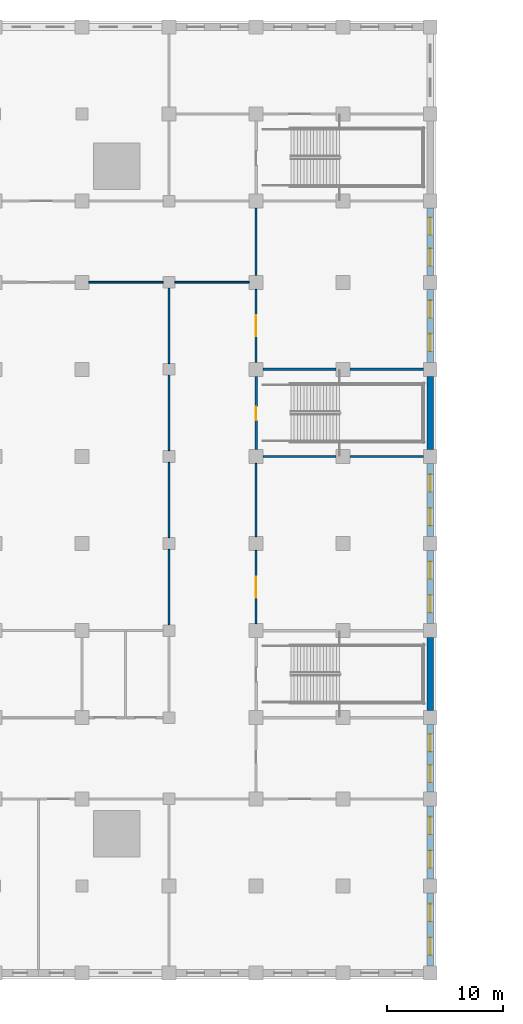
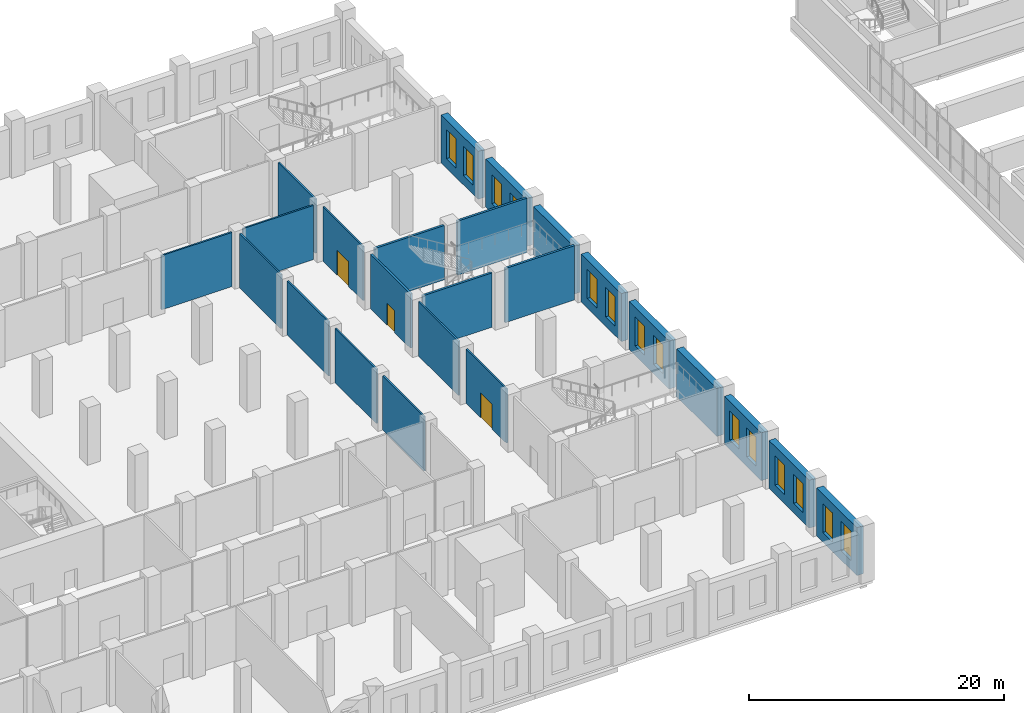
# One storey, part 11 of 35: 24 walls, 14 windows, 3 doors, 17 openings.
"""IFC4 building model written with IfcOpenShell, lengths in metres."""

from ifc_helpers import new_model, si_unit, direction, frame, frame_2d, origin, place, context, subcontext, project, spatial, rectangle, extrude, material, layer, layer_set, type_object, element, fill, save


model = new_model("IFC4")

# Units and contexts
model_context = context("Model", 3, precision=1e-05, world=origin(), true_north=direction((0.0, 1.0)))
body_context = subcontext(model_context, "Body", "Model", "MODEL_VIEW")
ifc_project = project(units=[si_unit("LENGTHUNIT", "METRE"), si_unit("AREAUNIT", "SQUARE_METRE"), si_unit("VOLUMEUNIT", "CUBIC_METRE"), si_unit("PLANEANGLEUNIT", "RADIAN"), si_unit("MASSUNIT", "GRAM", prefix="KILO")], contexts=[model_context])

# Site, building, storey
site_placement = place(None, origin())
site = spatial("IfcSite", under=ifc_project, at=site_placement, CompositionType="ELEMENT")
building_placement = place(site_placement, origin())
building = spatial("IfcBuilding", under=site, at=building_placement, Name="Tamorin Gate", CompositionType="ELEMENT")
storey_placement = place(building_placement, frame((0.0, 0.0, 8.0)))
storey = spatial("IfcBuildingStorey", under=building, at=storey_placement, Name="L01", CompositionType="ELEMENT", Elevation=8.0)

# Walls
ifc_material_1 = material(Name="Concrete masonry C20/25", Category="masonry")
ifc_layer_1 = layer(ifc_material_1, 0.14990234375)
ifc_layer_set_1 = layer_set([ifc_layer_1], Name="Partition 150")
wall_type_1 = type_object("IfcWallType", Name="Partition 150", PredefinedType="PARTITIONING", material=ifc_layer_set_1)
for number, where, z_axis, x_axis, name in (
    (1, (82.60009765625, 90.0, 0.0), (0.0, 0.0, 1.0), (1.0, 0.0, 0.0), "Partition 150 L01"),
    (2, (90.0, 90.0, 0.0), (0.0, 0.0, 1.0), (1.0, 0.0, 0.0), "Partition 150 L01"),
):
    element("IfcWall", number, at=place(storey_placement, frame(where, z_axis=z_axis, x_axis=x_axis)), inside=storey, type_object=wall_type_1, Name=name, PredefinedType="PARTITIONING", context=body_context, shape_type="SweptSolid", body=[
        extrude(rectangle(XDim=6.39990234375, YDim=0.14990234375, at=frame_2d((3.199951171875, 0.0))), origin(), (0.0, 0.0, 1.0), 5.199951171875),
    ])

# Wall, opening, door
wall_1_placement = place(storey_placement, frame((97.0, 60.60009765625, 0.0), z_axis=(0.0, 0.0, 1.0), x_axis=(0.0, 1.0, 0.0)))
wall_1 = element("IfcWall", 3, at=wall_1_placement, inside=storey, type_object=wall_type_1, Name="Partition 150 L01", PredefinedType="PARTITIONING", context=body_context, shape_type="SweptSolid", body=[
    extrude(rectangle(XDim=6.2998046875, YDim=0.14990234375, at=frame_2d((3.14990234375, 0.0))), origin(), (0.0, 0.0, 1.0), 5.199951171875),
])
opening_1_placement = place(wall_1_placement, frame((2.25, 0.0, 0.0)))
opening_1 = element("IfcOpeningElement", 4, at=opening_1_placement, cuts=wall_1, Name="Opening DP3", PredefinedType="OPENING", context=body_context, shape_type="SweptSolid", body=[
    extrude(rectangle(XDim=1.800048828125, YDim=2.39990234375, at=frame_2d((0.89990234375, 1.199951171875))), frame((0.0, 0.0849609375, 0.0), z_axis=(0.0, -1.0, 0.0), x_axis=(1.0, 0.0, 0.0)), (0.0, 0.0, 1.0), 0.169921875),
])
ifc_material_2 = material(Name="Steel and glass", Category="steel")
door_type_1 = type_object("IfcDoorType", Name="Door pair 1800", OperationType="DOUBLE_DOOR_SINGLE_SWING", PredefinedType="DOOR", material=ifc_material_2)
door_1_placement = place(opening_1_placement, origin())
door_1 = element("IfcDoor", 5, at=door_1_placement, inside=storey, type_object=door_type_1, Name="Door pair 1800 L01", OperationType="SINGLE_SWING_LEFT", OverallHeight=2.39990234375, OverallWidth=1.800048828125, PredefinedType="DOOR", context=body_context, shape_type="SweptSolid", body=[
    extrude(rectangle(XDim=1.800048828125, YDim=2.39990234375, at=frame_2d((0.89990234375, 1.199951171875))), frame((0.0, 0.02490234375, 0.0), z_axis=(0.0, -1.0, 0.0), x_axis=(1.0, 0.0, 0.0)), (0.0, 0.0, 1.0), 0.050048828125),
])
fill(opening_1, door_1)

# Wall
wall_2_placement = place(storey_placement, frame((97.0, 68.10009765625, 0.0), z_axis=(0.0, 0.0, 1.0), x_axis=(0.0, 1.0, 0.0)))
element("IfcWall", 6, at=wall_2_placement, inside=storey, type_object=wall_type_1, Name="Partition 150 L01", PredefinedType="PARTITIONING", context=body_context, shape_type="SweptSolid", body=[
    extrude(rectangle(XDim=6.2998046875, YDim=0.14990234375, at=frame_2d((3.14990234375, 0.0))), origin(), (0.0, 0.0, 1.0), 5.199951171875),
])

# Wall, opening, door
wall_3_placement = place(storey_placement, frame((97.0, 83.10009765625, 0.0), z_axis=(0.0, 0.0, 1.0), x_axis=(0.0, 1.0, 0.0)))
wall_3 = element("IfcWall", 7, at=wall_3_placement, inside=storey, type_object=wall_type_1, Name="Partition 150 L01", PredefinedType="PARTITIONING", context=body_context, shape_type="SweptSolid", body=[
    extrude(rectangle(XDim=6.2998046875, YDim=0.14990234375, at=frame_2d((3.14990234375, 0.0))), origin(), (0.0, 0.0, 1.0), 5.199951171875),
])
opening_2_placement = place(wall_3_placement, frame((2.25, 0.0, 0.0)))
opening_2 = element("IfcOpeningElement", 8, at=opening_2_placement, cuts=wall_3, Name="Opening DP3", PredefinedType="OPENING", context=body_context, shape_type="SweptSolid", body=[
    extrude(rectangle(XDim=1.800048828125, YDim=2.39990234375, at=frame_2d((0.89990234375, 1.199951171875))), frame((0.0, 0.0849609375, 0.0), z_axis=(0.0, -1.0, 0.0), x_axis=(1.0, 0.0, 0.0)), (0.0, 0.0, 1.0), 0.169921875),
])
door_2_placement = place(opening_2_placement, origin())
door_2 = element("IfcDoor", 9, at=door_2_placement, inside=storey, type_object=door_type_1, Name="Door pair 1800 L01", OperationType="SINGLE_SWING_LEFT", OverallHeight=2.39990234375, OverallWidth=1.800048828125, PredefinedType="DOOR", context=body_context, shape_type="SweptSolid", body=[
    extrude(rectangle(XDim=1.800048828125, YDim=2.39990234375, at=frame_2d((0.89990234375, 1.199951171875))), frame((0.0, 0.02490234375, 0.0), z_axis=(0.0, -1.0, 0.0), x_axis=(1.0, 0.0, 0.0)), (0.0, 0.0, 1.0), 0.050048828125),
])
fill(opening_2, door_2)

# Walls
wall_4_placement = place(storey_placement, frame((97.0, 90.60009765625, 0.0), z_axis=(0.0, 0.0, 1.0), x_axis=(0.0, 1.0, 0.0)))
element("IfcWall", 10, at=wall_4_placement, inside=storey, type_object=wall_type_1, Name="Partition 150 L01", PredefinedType="PARTITIONING", context=body_context, shape_type="SweptSolid", body=[
    extrude(rectangle(XDim=5.7998046875, YDim=0.14990234375, at=frame_2d((2.89990234375, 0.0))), origin(), (0.0, 0.0, 1.0), 5.199951171875),
])
for number, where, z_axis, x_axis, name in (
    (11, (89.5, 60.5, 0.0), (0.0, 0.0, 1.0), (0.0, 1.0, 0.0), "Partition 150 L01"),
    (12, (89.5, 68.0, 0.0), (0.0, 0.0, 1.0), (0.0, 1.0, 0.0), "Partition 150 L01"),
    (13, (89.5, 75.5, 0.0), (0.0, 0.0, 1.0), (0.0, 1.0, 0.0), "Partition 150 L01"),
    (14, (89.5, 83.0, 0.0), (0.0, 0.0, 1.0), (0.0, 1.0, 0.0), "Partition 150 L01"),
):
    element("IfcWall", number, at=place(storey_placement, frame(where, z_axis=z_axis, x_axis=x_axis)), inside=storey, type_object=wall_type_1, Name=name, PredefinedType="PARTITIONING", context=body_context, shape_type="SweptSolid", body=[
        extrude(rectangle(XDim=6.5, YDim=0.14990234375, at=frame_2d((3.25, 0.0))), origin(), (0.0, 0.0, 1.0), 5.199951171875),
    ])

# Wall, openings, windows
ifc_material_3 = material(Name="Precast concrete C40/50", Category="concrete")
ifc_layer_2 = layer(ifc_material_3, 0.60009765625)
ifc_layer_set_2 = layer_set([ifc_layer_2], Name="Precast concrete C40/50")
wall_type_2 = type_object("IfcWallType", Name="Precast plinth wall 600", PredefinedType="PARTITIONING", material=ifc_layer_set_2)
wall_5_placement = place(storey_placement, frame((112.0, 31.10009765625, 0.0), z_axis=(0.0, 0.0, 1.0), x_axis=(0.0, 1.0, 0.0)))
wall_5 = element("IfcWall", 15, at=wall_5_placement, inside=storey, type_object=wall_type_2, Name="Precast plinth wall 600 L01", PredefinedType="PARTITIONING", context=body_context, shape_type="SweptSolid", body=[
    extrude(rectangle(XDim=6.2998046875, YDim=0.60009765625, at=frame_2d((3.14990234375, 0.0))), origin(), (0.0, 0.0, 1.0), 4.60009765625),
])
opening_3_placement = place(wall_5_placement, frame((0.950927734375, 0.0, 0.89990234375)))
opening_3 = element("IfcOpeningElement", 16, at=opening_3_placement, cuts=wall_5, Name="Opening PWN5", PredefinedType="OPENING", context=body_context, shape_type="SweptSolid", body=[
    extrude(rectangle(XDim=1.5, YDim=2.800048828125, at=frame_2d((0.75, 1.39990234375))), frame((0.0, 0.31005859375, 0.0), z_axis=(0.0, -1.0, 0.0), x_axis=(1.0, 0.0, 0.0)), (0.0, 0.0, 1.0), 0.6201171875),
])
opening_4_placement = place(wall_5_placement, frame((3.84912109375, 0.0, 0.89990234375)))
opening_4 = element("IfcOpeningElement", 17, at=opening_4_placement, cuts=wall_5, Name="Opening PWN5", PredefinedType="OPENING", context=body_context, shape_type="SweptSolid", body=[
    extrude(rectangle(XDim=1.5, YDim=2.800048828125, at=frame_2d((0.75, 1.39990234375))), frame((0.0, 0.31005859375, 0.0), z_axis=(0.0, -1.0, 0.0), x_axis=(1.0, 0.0, 0.0)), (0.0, 0.0, 1.0), 0.6201171875),
])
ifc_material_4 = material(Name="Aluminium and glass", Category="aluminium")
window_type = type_object("IfcWindowType", Name="Plinth window 1500x2800", PartitioningType="DOUBLE_PANEL_VERTICAL", PredefinedType="WINDOW", material=ifc_material_4)
window_1_placement = place(opening_3_placement, origin())
window_1 = element("IfcWindow", 18, at=window_1_placement, inside=storey, type_object=window_type, Name="Plinth window 1500x2800", OverallHeight=2.800048828125, OverallWidth=1.5, PartitioningType="SINGLE_PANEL", PredefinedType="WINDOW", context=body_context, shape_type="SweptSolid", body=[
    extrude(rectangle(XDim=1.5, YDim=2.800048828125, at=frame_2d((0.75, 1.39990234375))), frame((0.0, 0.030029296875, 0.0), z_axis=(0.0, -1.0, 0.0), x_axis=(1.0, 0.0, 0.0)), (0.0, 0.0, 1.0), 0.06005859375),
])
fill(opening_3, window_1)
window_2_placement = place(opening_4_placement, origin())
window_2 = element("IfcWindow", 19, at=window_2_placement, inside=storey, type_object=window_type, Name="Plinth window 1500x2800", OverallHeight=2.800048828125, OverallWidth=1.5, PartitioningType="SINGLE_PANEL", PredefinedType="WINDOW", context=body_context, shape_type="SweptSolid", body=[
    extrude(rectangle(XDim=1.5, YDim=2.800048828125, at=frame_2d((0.75, 1.39990234375))), frame((0.0, 0.030029296875, 0.0), z_axis=(0.0, -1.0, 0.0), x_axis=(1.0, 0.0, 0.0)), (0.0, 0.0, 1.0), 0.06005859375),
])
fill(opening_4, window_2)

wall_6_placement = place(storey_placement, frame((112.0, 38.60009765625, 0.0), z_axis=(0.0, 0.0, 1.0), x_axis=(0.0, 1.0, 0.0)))
wall_6 = element("IfcWall", 20, at=wall_6_placement, inside=storey, type_object=wall_type_2, Name="Precast plinth wall 600 L01", PredefinedType="PARTITIONING", context=body_context, shape_type="SweptSolid", body=[
    extrude(rectangle(XDim=6.2998046875, YDim=0.60009765625, at=frame_2d((3.14990234375, 0.0))), origin(), (0.0, 0.0, 1.0), 4.60009765625),
])
opening_5_placement = place(wall_6_placement, frame((0.950927734375, 0.0, 0.89990234375)))
opening_5 = element("IfcOpeningElement", 21, at=opening_5_placement, cuts=wall_6, Name="Opening PWN5", PredefinedType="OPENING", context=body_context, shape_type="SweptSolid", body=[
    extrude(rectangle(XDim=1.5, YDim=2.800048828125, at=frame_2d((0.75, 1.39990234375))), frame((0.0, 0.31005859375, 0.0), z_axis=(0.0, -1.0, 0.0), x_axis=(1.0, 0.0, 0.0)), (0.0, 0.0, 1.0), 0.6201171875),
])
opening_6_placement = place(wall_6_placement, frame((3.84912109375, 0.0, 0.89990234375)))
opening_6 = element("IfcOpeningElement", 22, at=opening_6_placement, cuts=wall_6, Name="Opening PWN5", PredefinedType="OPENING", context=body_context, shape_type="SweptSolid", body=[
    extrude(rectangle(XDim=1.5, YDim=2.800048828125, at=frame_2d((0.75, 1.39990234375))), frame((0.0, 0.31005859375, 0.0), z_axis=(0.0, -1.0, 0.0), x_axis=(1.0, 0.0, 0.0)), (0.0, 0.0, 1.0), 0.6201171875),
])
window_3_placement = place(opening_5_placement, origin())
window_3 = element("IfcWindow", 23, at=window_3_placement, inside=storey, type_object=window_type, Name="Plinth window 1500x2800", OverallHeight=2.800048828125, OverallWidth=1.5, PartitioningType="SINGLE_PANEL", PredefinedType="WINDOW", context=body_context, shape_type="SweptSolid", body=[
    extrude(rectangle(XDim=1.5, YDim=2.800048828125, at=frame_2d((0.75, 1.39990234375))), frame((0.0, 0.030029296875, 0.0), z_axis=(0.0, -1.0, 0.0), x_axis=(1.0, 0.0, 0.0)), (0.0, 0.0, 1.0), 0.06005859375),
])
fill(opening_5, window_3)
window_4_placement = place(opening_6_placement, origin())
window_4 = element("IfcWindow", 24, at=window_4_placement, inside=storey, type_object=window_type, Name="Plinth window 1500x2800", OverallHeight=2.800048828125, OverallWidth=1.5, PartitioningType="SINGLE_PANEL", PredefinedType="WINDOW", context=body_context, shape_type="SweptSolid", body=[
    extrude(rectangle(XDim=1.5, YDim=2.800048828125, at=frame_2d((0.75, 1.39990234375))), frame((0.0, 0.030029296875, 0.0), z_axis=(0.0, -1.0, 0.0), x_axis=(1.0, 0.0, 0.0)), (0.0, 0.0, 1.0), 0.06005859375),
])
fill(opening_6, window_4)

wall_7_placement = place(storey_placement, frame((112.0, 46.10009765625, 0.0), z_axis=(0.0, 0.0, 1.0), x_axis=(0.0, 1.0, 0.0)))
wall_7 = element("IfcWall", 25, at=wall_7_placement, inside=storey, type_object=wall_type_2, Name="Precast plinth wall 600 L01", PredefinedType="PARTITIONING", context=body_context, shape_type="SweptSolid", body=[
    extrude(rectangle(XDim=5.7998046875, YDim=0.60009765625, at=frame_2d((2.89990234375, 0.0))), origin(), (0.0, 0.0, 1.0), 4.60009765625),
])
opening_7_placement = place(wall_7_placement, frame((0.81591796875, 0.0, 0.89990234375)))
opening_7 = element("IfcOpeningElement", 26, at=opening_7_placement, cuts=wall_7, Name="Opening PWN5", PredefinedType="OPENING", context=body_context, shape_type="SweptSolid", body=[
    extrude(rectangle(XDim=1.5, YDim=2.800048828125, at=frame_2d((0.75, 1.39990234375))), frame((0.0, 0.31005859375, 0.0), z_axis=(0.0, -1.0, 0.0), x_axis=(1.0, 0.0, 0.0)), (0.0, 0.0, 1.0), 0.6201171875),
])
opening_8_placement = place(wall_7_placement, frame((3.48388671875, 0.0, 0.89990234375)))
opening_8 = element("IfcOpeningElement", 27, at=opening_8_placement, cuts=wall_7, Name="Opening PWN5", PredefinedType="OPENING", context=body_context, shape_type="SweptSolid", body=[
    extrude(rectangle(XDim=1.5, YDim=2.800048828125, at=frame_2d((0.75, 1.39990234375))), frame((0.0, 0.31005859375, 0.0), z_axis=(0.0, -1.0, 0.0), x_axis=(1.0, 0.0, 0.0)), (0.0, 0.0, 1.0), 0.6201171875),
])
window_5_placement = place(opening_7_placement, origin())
window_5 = element("IfcWindow", 28, at=window_5_placement, inside=storey, type_object=window_type, Name="Plinth window 1500x2800", OverallHeight=2.800048828125, OverallWidth=1.5, PartitioningType="SINGLE_PANEL", PredefinedType="WINDOW", context=body_context, shape_type="SweptSolid", body=[
    extrude(rectangle(XDim=1.5, YDim=2.800048828125, at=frame_2d((0.75, 1.39990234375))), frame((0.0, 0.030029296875, 0.0), z_axis=(0.0, -1.0, 0.0), x_axis=(1.0, 0.0, 0.0)), (0.0, 0.0, 1.0), 0.06005859375),
])
fill(opening_7, window_5)
window_6_placement = place(opening_8_placement, origin())
window_6 = element("IfcWindow", 29, at=window_6_placement, inside=storey, type_object=window_type, Name="Plinth window 1500x2800", OverallHeight=2.800048828125, OverallWidth=1.5, PartitioningType="SINGLE_PANEL", PredefinedType="WINDOW", context=body_context, shape_type="SweptSolid", body=[
    extrude(rectangle(XDim=1.5, YDim=2.800048828125, at=frame_2d((0.75, 1.39990234375))), frame((0.0, 0.030029296875, 0.0), z_axis=(0.0, -1.0, 0.0), x_axis=(1.0, 0.0, 0.0)), (0.0, 0.0, 1.0), 0.06005859375),
])
fill(opening_8, window_6)

# Wall
wall_8_placement = place(storey_placement, frame((112.0, 53.10009765625, 0.0), z_axis=(0.0, 0.0, 1.0), x_axis=(0.0, 1.0, 0.0)))
element("IfcWall", 30, at=wall_8_placement, inside=storey, type_object=wall_type_2, Name="Precast plinth wall 600 L01", PredefinedType="PARTITIONING", context=body_context, shape_type="SweptSolid", body=[
    extrude(rectangle(XDim=6.2998046875, YDim=0.60009765625, at=frame_2d((3.14990234375, 0.0))), origin(), (0.0, 0.0, 1.0), 4.60009765625),
])

# Wall, openings, windows
wall_9_placement = place(storey_placement, frame((112.0, 60.60009765625, 0.0), z_axis=(0.0, 0.0, 1.0), x_axis=(0.0, 1.0, 0.0)))
wall_9 = element("IfcWall", 31, at=wall_9_placement, inside=storey, type_object=wall_type_2, Name="Precast plinth wall 600 L01", PredefinedType="PARTITIONING", context=body_context, shape_type="SweptSolid", body=[
    extrude(rectangle(XDim=6.2998046875, YDim=0.60009765625, at=frame_2d((3.14990234375, 0.0))), origin(), (0.0, 0.0, 1.0), 4.60009765625),
])
opening_9_placement = place(wall_9_placement, frame((0.950927734375, 0.0, 0.89990234375)))
opening_9 = element("IfcOpeningElement", 32, at=opening_9_placement, cuts=wall_9, Name="Opening PWN5", PredefinedType="OPENING", context=body_context, shape_type="SweptSolid", body=[
    extrude(rectangle(XDim=1.5, YDim=2.800048828125, at=frame_2d((0.75, 1.39990234375))), frame((0.0, 0.31005859375, 0.0), z_axis=(0.0, -1.0, 0.0), x_axis=(1.0, 0.0, 0.0)), (0.0, 0.0, 1.0), 0.6201171875),
])
opening_10_placement = place(wall_9_placement, frame((3.84912109375, 0.0, 0.89990234375)))
opening_10 = element("IfcOpeningElement", 33, at=opening_10_placement, cuts=wall_9, Name="Opening PWN5", PredefinedType="OPENING", context=body_context, shape_type="SweptSolid", body=[
    extrude(rectangle(XDim=1.5, YDim=2.800048828125, at=frame_2d((0.75, 1.39990234375))), frame((0.0, 0.31005859375, 0.0), z_axis=(0.0, -1.0, 0.0), x_axis=(1.0, 0.0, 0.0)), (0.0, 0.0, 1.0), 0.6201171875),
])
window_7_placement = place(opening_9_placement, origin())
window_7 = element("IfcWindow", 34, at=window_7_placement, inside=storey, type_object=window_type, Name="Plinth window 1500x2800", OverallHeight=2.800048828125, OverallWidth=1.5, PartitioningType="SINGLE_PANEL", PredefinedType="WINDOW", context=body_context, shape_type="SweptSolid", body=[
    extrude(rectangle(XDim=1.5, YDim=2.800048828125, at=frame_2d((0.75, 1.39990234375))), frame((0.0, 0.030029296875, 0.0), z_axis=(0.0, -1.0, 0.0), x_axis=(1.0, 0.0, 0.0)), (0.0, 0.0, 1.0), 0.06005859375),
])
fill(opening_9, window_7)
window_8_placement = place(opening_10_placement, origin())
window_8 = element("IfcWindow", 35, at=window_8_placement, inside=storey, type_object=window_type, Name="Plinth window 1500x2800", OverallHeight=2.800048828125, OverallWidth=1.5, PartitioningType="SINGLE_PANEL", PredefinedType="WINDOW", context=body_context, shape_type="SweptSolid", body=[
    extrude(rectangle(XDim=1.5, YDim=2.800048828125, at=frame_2d((0.75, 1.39990234375))), frame((0.0, 0.030029296875, 0.0), z_axis=(0.0, -1.0, 0.0), x_axis=(1.0, 0.0, 0.0)), (0.0, 0.0, 1.0), 0.06005859375),
])
fill(opening_10, window_8)

wall_10_placement = place(storey_placement, frame((112.0, 68.10009765625, 0.0), z_axis=(0.0, 0.0, 1.0), x_axis=(0.0, 1.0, 0.0)))
wall_10 = element("IfcWall", 36, at=wall_10_placement, inside=storey, type_object=wall_type_2, Name="Precast plinth wall 600 L01", PredefinedType="PARTITIONING", context=body_context, shape_type="SweptSolid", body=[
    extrude(rectangle(XDim=6.2998046875, YDim=0.60009765625, at=frame_2d((3.14990234375, 0.0))), origin(), (0.0, 0.0, 1.0), 4.60009765625),
])
opening_11_placement = place(wall_10_placement, frame((0.950927734375, 0.0, 0.89990234375)))
opening_11 = element("IfcOpeningElement", 37, at=opening_11_placement, cuts=wall_10, Name="Opening PWN5", PredefinedType="OPENING", context=body_context, shape_type="SweptSolid", body=[
    extrude(rectangle(XDim=1.5, YDim=2.800048828125, at=frame_2d((0.75, 1.39990234375))), frame((0.0, 0.31005859375, 0.0), z_axis=(0.0, -1.0, 0.0), x_axis=(1.0, 0.0, 0.0)), (0.0, 0.0, 1.0), 0.6201171875),
])
opening_12_placement = place(wall_10_placement, frame((3.84912109375, 0.0, 0.89990234375)))
opening_12 = element("IfcOpeningElement", 38, at=opening_12_placement, cuts=wall_10, Name="Opening PWN5", PredefinedType="OPENING", context=body_context, shape_type="SweptSolid", body=[
    extrude(rectangle(XDim=1.5, YDim=2.800048828125, at=frame_2d((0.75, 1.39990234375))), frame((0.0, 0.31005859375, 0.0), z_axis=(0.0, -1.0, 0.0), x_axis=(1.0, 0.0, 0.0)), (0.0, 0.0, 1.0), 0.6201171875),
])
window_9_placement = place(opening_11_placement, origin())
window_9 = element("IfcWindow", 39, at=window_9_placement, inside=storey, type_object=window_type, Name="Plinth window 1500x2800", OverallHeight=2.800048828125, OverallWidth=1.5, PartitioningType="SINGLE_PANEL", PredefinedType="WINDOW", context=body_context, shape_type="SweptSolid", body=[
    extrude(rectangle(XDim=1.5, YDim=2.800048828125, at=frame_2d((0.75, 1.39990234375))), frame((0.0, 0.030029296875, 0.0), z_axis=(0.0, -1.0, 0.0), x_axis=(1.0, 0.0, 0.0)), (0.0, 0.0, 1.0), 0.06005859375),
])
fill(opening_11, window_9)
window_10_placement = place(opening_12_placement, origin())
window_10 = element("IfcWindow", 40, at=window_10_placement, inside=storey, type_object=window_type, Name="Plinth window 1500x2800", OverallHeight=2.800048828125, OverallWidth=1.5, PartitioningType="SINGLE_PANEL", PredefinedType="WINDOW", context=body_context, shape_type="SweptSolid", body=[
    extrude(rectangle(XDim=1.5, YDim=2.800048828125, at=frame_2d((0.75, 1.39990234375))), frame((0.0, 0.030029296875, 0.0), z_axis=(0.0, -1.0, 0.0), x_axis=(1.0, 0.0, 0.0)), (0.0, 0.0, 1.0), 0.06005859375),
])
fill(opening_12, window_10)

# Wall
wall_11_placement = place(storey_placement, frame((112.0, 75.60009765625, 0.0), z_axis=(0.0, 0.0, 1.0), x_axis=(0.0, 1.0, 0.0)))
element("IfcWall", 41, at=wall_11_placement, inside=storey, type_object=wall_type_2, Name="Precast plinth wall 600 L01", PredefinedType="PARTITIONING", context=body_context, shape_type="SweptSolid", body=[
    extrude(rectangle(XDim=6.2998046875, YDim=0.60009765625, at=frame_2d((3.14990234375, 0.0))), origin(), (0.0, 0.0, 1.0), 4.60009765625),
])

# Wall, openings, windows
wall_12_placement = place(storey_placement, frame((112.0, 83.10009765625, 0.0), z_axis=(0.0, 0.0, 1.0), x_axis=(0.0, 1.0, 0.0)))
wall_12 = element("IfcWall", 42, at=wall_12_placement, inside=storey, type_object=wall_type_2, Name="Precast plinth wall 600 L01", PredefinedType="PARTITIONING", context=body_context, shape_type="SweptSolid", body=[
    extrude(rectangle(XDim=6.2998046875, YDim=0.60009765625, at=frame_2d((3.14990234375, 0.0))), origin(), (0.0, 0.0, 1.0), 4.60009765625),
])
opening_13_placement = place(wall_12_placement, frame((0.950927734375, 0.0, 0.89990234375)))
opening_13 = element("IfcOpeningElement", 43, at=opening_13_placement, cuts=wall_12, Name="Opening PWN5", PredefinedType="OPENING", context=body_context, shape_type="SweptSolid", body=[
    extrude(rectangle(XDim=1.5, YDim=2.800048828125, at=frame_2d((0.75, 1.39990234375))), frame((0.0, 0.31005859375, 0.0), z_axis=(0.0, -1.0, 0.0), x_axis=(1.0, 0.0, 0.0)), (0.0, 0.0, 1.0), 0.6201171875),
])
opening_14_placement = place(wall_12_placement, frame((3.84912109375, 0.0, 0.89990234375)))
opening_14 = element("IfcOpeningElement", 44, at=opening_14_placement, cuts=wall_12, Name="Opening PWN5", PredefinedType="OPENING", context=body_context, shape_type="SweptSolid", body=[
    extrude(rectangle(XDim=1.5, YDim=2.800048828125, at=frame_2d((0.75, 1.39990234375))), frame((0.0, 0.31005859375, 0.0), z_axis=(0.0, -1.0, 0.0), x_axis=(1.0, 0.0, 0.0)), (0.0, 0.0, 1.0), 0.6201171875),
])
window_11_placement = place(opening_13_placement, origin())
window_11 = element("IfcWindow", 45, at=window_11_placement, inside=storey, type_object=window_type, Name="Plinth window 1500x2800", OverallHeight=2.800048828125, OverallWidth=1.5, PartitioningType="SINGLE_PANEL", PredefinedType="WINDOW", context=body_context, shape_type="SweptSolid", body=[
    extrude(rectangle(XDim=1.5, YDim=2.800048828125, at=frame_2d((0.75, 1.39990234375))), frame((0.0, 0.030029296875, 0.0), z_axis=(0.0, -1.0, 0.0), x_axis=(1.0, 0.0, 0.0)), (0.0, 0.0, 1.0), 0.06005859375),
])
fill(opening_13, window_11)
window_12_placement = place(opening_14_placement, origin())
window_12 = element("IfcWindow", 46, at=window_12_placement, inside=storey, type_object=window_type, Name="Plinth window 1500x2800", OverallHeight=2.800048828125, OverallWidth=1.5, PartitioningType="SINGLE_PANEL", PredefinedType="WINDOW", context=body_context, shape_type="SweptSolid", body=[
    extrude(rectangle(XDim=1.5, YDim=2.800048828125, at=frame_2d((0.75, 1.39990234375))), frame((0.0, 0.030029296875, 0.0), z_axis=(0.0, -1.0, 0.0), x_axis=(1.0, 0.0, 0.0)), (0.0, 0.0, 1.0), 0.06005859375),
])
fill(opening_14, window_12)

wall_13_placement = place(storey_placement, frame((112.0, 90.60009765625, 0.0), z_axis=(0.0, 0.0, 1.0), x_axis=(0.0, 1.0, 0.0)))
wall_13 = element("IfcWall", 47, at=wall_13_placement, inside=storey, type_object=wall_type_2, Name="Precast plinth wall 600 L01", PredefinedType="PARTITIONING", context=body_context, shape_type="SweptSolid", body=[
    extrude(rectangle(XDim=5.7998046875, YDim=0.60009765625, at=frame_2d((2.89990234375, 0.0))), origin(), (0.0, 0.0, 1.0), 4.60009765625),
])
opening_15_placement = place(wall_13_placement, frame((0.81591796875, 0.0, 0.89990234375)))
opening_15 = element("IfcOpeningElement", 48, at=opening_15_placement, cuts=wall_13, Name="Opening PWN5", PredefinedType="OPENING", context=body_context, shape_type="SweptSolid", body=[
    extrude(rectangle(XDim=1.5, YDim=2.800048828125, at=frame_2d((0.75, 1.39990234375))), frame((0.0, 0.31005859375, 0.0), z_axis=(0.0, -1.0, 0.0), x_axis=(1.0, 0.0, 0.0)), (0.0, 0.0, 1.0), 0.6201171875),
])
opening_16_placement = place(wall_13_placement, frame((3.48388671875, 0.0, 0.89990234375)))
opening_16 = element("IfcOpeningElement", 49, at=opening_16_placement, cuts=wall_13, Name="Opening PWN5", PredefinedType="OPENING", context=body_context, shape_type="SweptSolid", body=[
    extrude(rectangle(XDim=1.5, YDim=2.800048828125, at=frame_2d((0.75, 1.39990234375))), frame((0.0, 0.31005859375, 0.0), z_axis=(0.0, -1.0, 0.0), x_axis=(1.0, 0.0, 0.0)), (0.0, 0.0, 1.0), 0.6201171875),
])
window_13_placement = place(opening_15_placement, origin())
window_13 = element("IfcWindow", 50, at=window_13_placement, inside=storey, type_object=window_type, Name="Plinth window 1500x2800", OverallHeight=2.800048828125, OverallWidth=1.5, PartitioningType="SINGLE_PANEL", PredefinedType="WINDOW", context=body_context, shape_type="SweptSolid", body=[
    extrude(rectangle(XDim=1.5, YDim=2.800048828125, at=frame_2d((0.75, 1.39990234375))), frame((0.0, 0.030029296875, 0.0), z_axis=(0.0, -1.0, 0.0), x_axis=(1.0, 0.0, 0.0)), (0.0, 0.0, 1.0), 0.06005859375),
])
fill(opening_15, window_13)
window_14_placement = place(opening_16_placement, origin())
window_14 = element("IfcWindow", 51, at=window_14_placement, inside=storey, type_object=window_type, Name="Plinth window 1500x2800", OverallHeight=2.800048828125, OverallWidth=1.5, PartitioningType="SINGLE_PANEL", PredefinedType="WINDOW", context=body_context, shape_type="SweptSolid", body=[
    extrude(rectangle(XDim=1.5, YDim=2.800048828125, at=frame_2d((0.75, 1.39990234375))), frame((0.0, 0.030029296875, 0.0), z_axis=(0.0, -1.0, 0.0), x_axis=(1.0, 0.0, 0.0)), (0.0, 0.0, 1.0), 0.06005859375),
])
fill(opening_16, window_14)

# Walls
ifc_material_5 = material(Name="Concrete C40/50", Category="concrete")
ifc_layer_3 = layer(ifc_material_5, 0.199951171875)
ifc_layer_set_3 = layer_set([ifc_layer_3], Name="Stair enclosure 200")
wall_type_3 = type_object("IfcWallType", Name="Stair enclosure 200", PredefinedType="SHEAR", material=ifc_layer_set_3)
for number, where, z_axis, x_axis, name in (
    (52, (97.60009765625, 75.0, 0.0), (0.0, 0.0, 1.0), (1.0, 0.0, 0.0), "Stair enclosure 200 L01"),
    (53, (105.10009765625, 75.0, 0.0), (0.0, 0.0, 1.0), (1.0, 0.0, 0.0), "Stair enclosure 200 L01"),
    (54, (97.60009765625, 82.5, 0.0), (0.0, 0.0, 1.0), (1.0, 0.0, 0.0), "Stair enclosure 200 L01"),
    (55, (105.10009765625, 82.5, 0.0), (0.0, 0.0, 1.0), (1.0, 0.0, 0.0), "Stair enclosure 200 L01"),
):
    element("IfcWall", number, at=place(storey_placement, frame(where, z_axis=z_axis, x_axis=x_axis)), inside=storey, type_object=wall_type_3, Name=name, PredefinedType="SHEAR", context=body_context, shape_type="SweptSolid", body=[
        extrude(rectangle(XDim=6.2998046875, YDim=0.199951171875, at=frame_2d((3.14990234375, 0.0))), origin(), (0.0, 0.0, 1.0), 5.199951171875),
    ])

# Wall, opening, door
wall_14_placement = place(storey_placement, frame((97.0, 81.89990234375, 0.0), z_axis=(0.0, 0.0, 1.0), x_axis=(0.0, -1.0, 0.0)))
wall_14 = element("IfcWall", 56, at=wall_14_placement, inside=storey, type_object=wall_type_3, Name="Stair enclosure 200 L01", PredefinedType="SHEAR", context=body_context, shape_type="SweptSolid", body=[
    extrude(rectangle(XDim=6.2998046875, YDim=0.199951171875, at=frame_2d((3.14990234375, 0.0))), origin(), (0.0, 0.0, 1.0), 5.199951171875),
])
opening_17_placement = place(wall_14_placement, frame((2.60009765625, 0.0, 0.0)))
opening_17 = element("IfcOpeningElement", 57, at=opening_17_placement, cuts=wall_14, Name="Opening DP5", PredefinedType="OPENING", context=body_context, shape_type="SweptSolid", body=[
    extrude(rectangle(XDim=1.199951171875, YDim=2.10009765625, at=frame_2d((0.60009765625, 1.050048828125))), frame((0.0, 0.10986328125, 0.0), z_axis=(0.0, -1.0, 0.0), x_axis=(1.0, 0.0, 0.0)), (0.0, 0.0, 1.0), 0.219970703125),
])
ifc_material_6 = material(Name="Painted steel", Category="steel")
door_type_2 = type_object("IfcDoorType", Name="Stair door 1200", OperationType="SINGLE_SWING_LEFT", PredefinedType="DOOR", material=ifc_material_6)
door_3_placement = place(opening_17_placement, origin())
door_3 = element("IfcDoor", 58, at=door_3_placement, inside=storey, type_object=door_type_2, Name="Stair door 1200 L01", OperationType="SINGLE_SWING_LEFT", OverallHeight=2.10009765625, OverallWidth=1.199951171875, PredefinedType="DOOR", context=body_context, shape_type="SweptSolid", body=[
    extrude(rectangle(XDim=1.199951171875, YDim=2.10009765625, at=frame_2d((0.60009765625, 1.050048828125))), frame((0.0, 0.02490234375, 0.0), z_axis=(0.0, -1.0, 0.0), x_axis=(1.0, 0.0, 0.0)), (0.0, 0.0, 1.0), 0.050048828125),
])
fill(opening_17, door_3)

save(model, "model.ifc")
